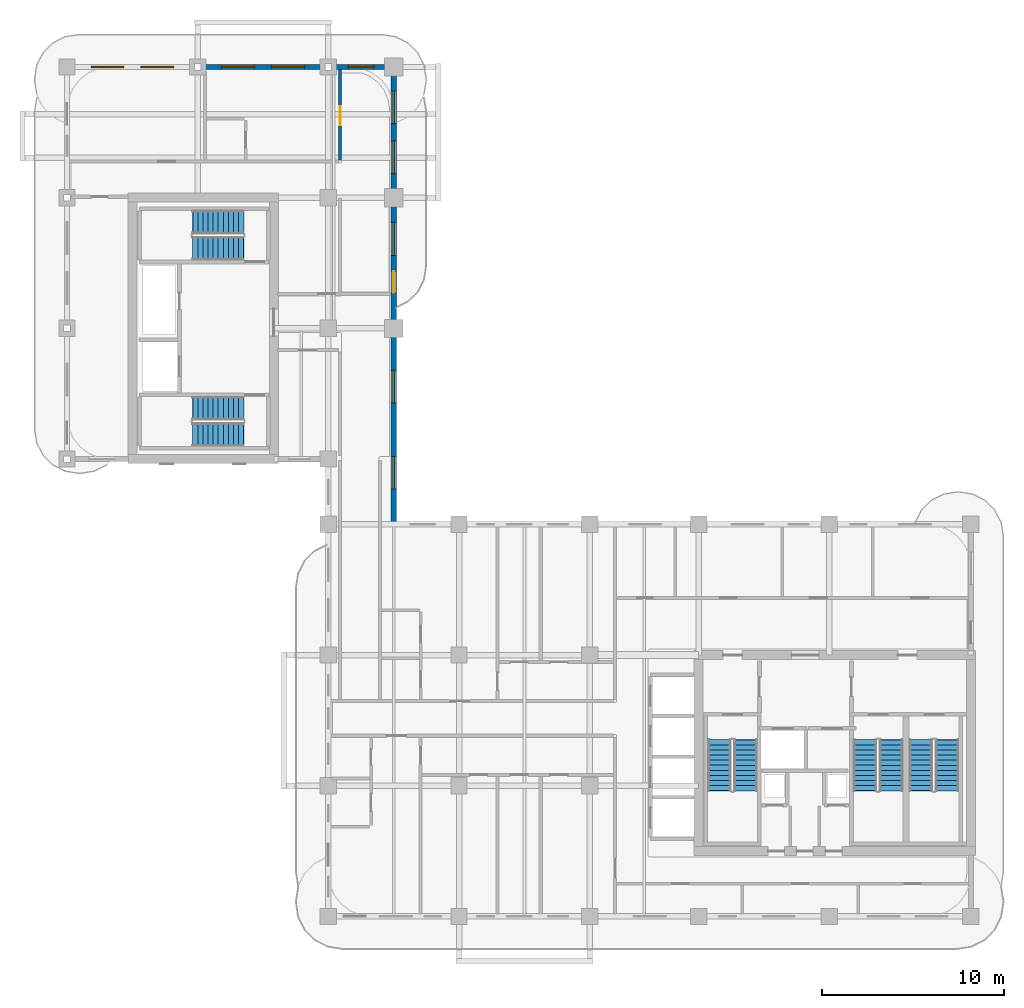
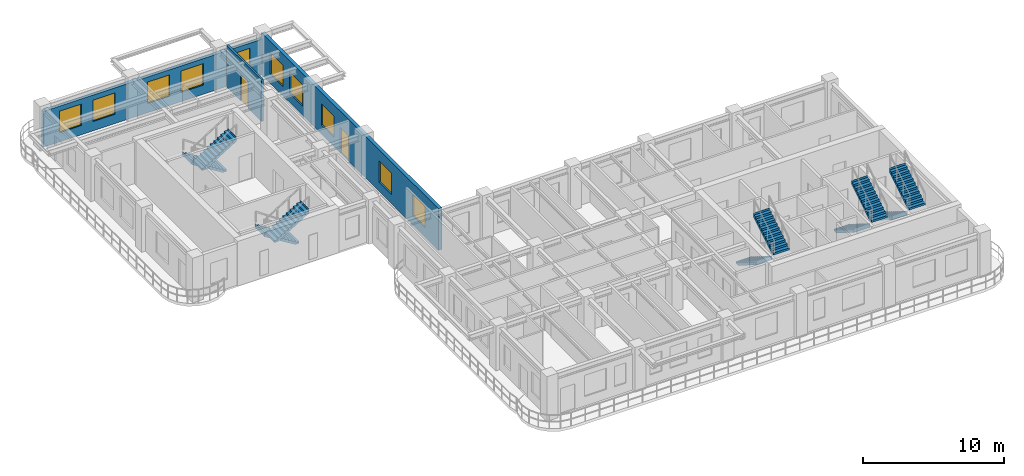
# One storey, part 9 of 14: 10 stair flights, 10 windows, 3 walls, 2 doors, 12 openings, 5 elements without a shape of their own.
"""IFC4 building model written with IfcOpenShell, lengths in metres."""

from ifc_helpers import new_model, si_unit, derived_unit, direction, frame, frame_2d, origin, place, context, subcontext, project, spatial, polyline, rectangle, outline, extrude, source, transform, mapped, material, layer, layer_set, type_object, type_shapes, element, fill, aggregate, save


model = new_model("IFC4")

# Units and contexts
model_context = context("Model", 3, precision=1e-05, world=origin(), true_north=direction((0.0, 1.0)))
body_context = subcontext(model_context, "Body", "Model", "MODEL_VIEW")
ifc_project = project(units=[si_unit("LENGTHUNIT", "METRE"), si_unit("AREAUNIT", "SQUARE_METRE"), si_unit("VOLUMEUNIT", "CUBIC_METRE"), si_unit("PLANEANGLEUNIT", "RADIAN"), si_unit("MASSUNIT", "GRAM", prefix="KILO"), si_unit("THERMODYNAMICTEMPERATUREUNIT", "KELVIN"), si_unit("POWERUNIT", "WATT"), derived_unit("THERMALTRANSMITTANCEUNIT", [(si_unit("POWERUNIT", "WATT"), 1), (si_unit("AREAUNIT", "SQUARE_METRE"), -1), (si_unit("THERMODYNAMICTEMPERATUREUNIT", "KELVIN"), -1)])], contexts=[model_context])

# Site, building, storey
site_placement = place(None, origin())
site = spatial("IfcSite", under=ifc_project, at=site_placement, CompositionType="ELEMENT")
building_placement = place(site_placement, origin())
building = spatial("IfcBuilding", under=site, at=building_placement, Name="Zahravan Archway Hotel and Residences", CompositionType="ELEMENT")
storey_placement = place(building_placement, frame((0.0, 0.0, 205.75)))
storey = spatial("IfcBuildingStorey", under=building, at=storey_placement, Name="L51", CompositionType="ELEMENT", Elevation=205.75)

# Wall, openings, windows
ifc_material_1 = material(Name="Honed Red-Ochre Sandstone & Insulated Block", Category="masonry")
ifc_layer_1 = layer(ifc_material_1, 0.280029296875, Name="Honed Red-Ochre Sandstone & Insulated Block", Category="masonry")
ifc_layer_set_1 = layer_set([ifc_layer_1], Name="Honed Red-Ochre Sandstone & Insulated Block")
wall_type_1 = type_object("IfcWallType", Name="EW-LOG-280", PredefinedType="SOLIDWALL", material=ifc_layer_set_1)
wall_1_placement = place(storey_placement, frame((0.0, 46.800048828125, 0.0), z_axis=(0.0, 0.0, 1.0), x_axis=(1.0, 0.0, 0.0)))
wall_1 = element("IfcWall", 1, at=wall_1_placement, inside=storey, type_object=wall_type_1, Name="L51 Exterior Sandstone Wall WB-N", PredefinedType="SOLIDWALL", context=body_context, shape_type="SweptSolid", body=[
    extrude(rectangle(XDim=18.0, YDim=0.280029296875, at=frame_2d((9.0, 0.0))), origin(), (0.0, 0.0, 1.0), 3.0849609375),
])
opening_1_placement = place(wall_1_placement, frame((1.324951171875, 0.0, 0.800048828125)))
opening_1 = element("IfcOpeningElement", 2, at=opening_1_placement, cuts=wall_1, Name="Opening W-02", PredefinedType="OPENING", context=body_context, shape_type="SweptSolid", body=[
    extrude(rectangle(XDim=1.800048828125, YDim=1.85009765625, at=frame_2d((0.89990234375, 0.925048828125))), frame((0.0, 0.14990234375, 0.0), z_axis=(0.0, -1.0, 0.0), x_axis=(1.0, 0.0, 0.0)), (0.0, 0.0, 1.0), 0.300048828125),
])
opening_2_placement = place(wall_1_placement, frame((4.074951171875, 0.0, 0.800048828125)))
opening_2 = element("IfcOpeningElement", 3, at=opening_2_placement, cuts=wall_1, Name="Opening W-02", PredefinedType="OPENING", context=body_context, shape_type="SweptSolid", body=[
    extrude(rectangle(XDim=1.800048828125, YDim=1.85009765625, at=frame_2d((0.89990234375, 0.925048828125))), frame((0.0, 0.14990234375, 0.0), z_axis=(0.0, -1.0, 0.0), x_axis=(1.0, 0.0, 0.0)), (0.0, 0.0, 1.0), 0.300048828125),
])
opening_3_placement = place(wall_1_placement, frame((8.52490234375, 0.0, 0.800048828125)))
opening_3 = element("IfcOpeningElement", 4, at=opening_3_placement, cuts=wall_1, Name="Opening W-02", PredefinedType="OPENING", context=body_context, shape_type="SweptSolid", body=[
    extrude(rectangle(XDim=1.800048828125, YDim=1.85009765625, at=frame_2d((0.89990234375, 0.925048828125))), frame((0.0, 0.14990234375, 0.0), z_axis=(0.0, -1.0, 0.0), x_axis=(1.0, 0.0, 0.0)), (0.0, 0.0, 1.0), 0.300048828125),
])
opening_4_placement = place(wall_1_placement, frame((11.27490234375, 0.0, 0.800048828125)))
opening_4 = element("IfcOpeningElement", 5, at=opening_4_placement, cuts=wall_1, Name="Opening W-02", PredefinedType="OPENING", context=body_context, shape_type="SweptSolid", body=[
    extrude(rectangle(XDim=1.800048828125, YDim=1.85009765625, at=frame_2d((0.89990234375, 0.925048828125))), frame((0.0, 0.14990234375, 0.0), z_axis=(0.0, -1.0, 0.0), x_axis=(1.0, 0.0, 0.0)), (0.0, 0.0, 1.0), 0.300048828125),
])
opening_5_placement = place(wall_1_placement, frame((15.5, 0.0, 0.800048828125)))
opening_5 = element("IfcOpeningElement", 6, at=opening_5_placement, cuts=wall_1, Name="Opening W-03", PredefinedType="OPENING", context=body_context, shape_type="SweptSolid", body=[
    extrude(rectangle(XDim=1.39990234375, YDim=1.85009765625, at=frame_2d((0.699951171875, 0.925048828125))), frame((0.0, 0.14990234375, 0.0), z_axis=(0.0, -1.0, 0.0), x_axis=(1.0, 0.0, 0.0)), (0.0, 0.0, 1.0), 0.300048828125),
])
ifc_material_2 = material(Name="Bronze-Anodized Thermal-Break Aluminium & Low-E Glass", Category="aluminium")
window_type_1 = type_object("IfcWindowType", Name="WIN-TWR-1400", PartitioningType="SINGLE_PANEL", PredefinedType="WINDOW", material=ifc_material_2)
shared_shape_1 = source(origin(), body_context, "Body", "SweptSolid", [
    extrude(rectangle(XDim=1.39990234375, YDim=1.85009765625, at=frame_2d((0.699951171875, 0.925048828125))), frame((0.0, 0.030029296875, 0.0), z_axis=(0.0, -1.0, 0.0), x_axis=(1.0, 0.0, 0.0)), (0.0, 0.0, 1.0), 0.06005859375),
])
type_shapes(window_type_1, [shared_shape_1])
window_1_placement = place(opening_5_placement, origin())
window_1 = element("IfcWindow", 7, at=window_1_placement, inside=storey, type_object=window_type_1, Name="L51 Loggia Window 39", OverallHeight=1.85009765625, OverallWidth=1.39990234375, PartitioningType="SINGLE_PANEL", PredefinedType="WINDOW", context=body_context, shape_type="MappedRepresentation", body=[
    mapped(shared_shape_1, transform((0.0, 0.0, 0.0), scale=1.0)),
])
fill(opening_5, window_1)
window_type_2 = type_object("IfcWindowType", Name="WIN-TWR-1800", PartitioningType="DOUBLE_PANEL_VERTICAL", PredefinedType="WINDOW", material=ifc_material_2)
shared_shape_2 = source(origin(), body_context, "Body", "SweptSolid", [
    extrude(rectangle(XDim=1.800048828125, YDim=1.85009765625, at=frame_2d((0.89990234375, 0.925048828125))), frame((0.0, 0.030029296875, 0.0), z_axis=(0.0, -1.0, 0.0), x_axis=(1.0, 0.0, 0.0)), (0.0, 0.0, 1.0), 0.06005859375),
])
type_shapes(window_type_2, [shared_shape_2])
window_2_placement = place(opening_1_placement, origin())
window_2 = element("IfcWindow", 8, at=window_2_placement, inside=storey, type_object=window_type_2, Name="L51 Loggia Window 35", OverallHeight=1.85009765625, OverallWidth=1.800048828125, PartitioningType="DOUBLE_PANEL_VERTICAL", PredefinedType="WINDOW", context=body_context, shape_type="MappedRepresentation", body=[
    mapped(shared_shape_2, transform((0.0, 0.0, 0.0), scale=1.0)),
])
fill(opening_1, window_2)
window_3_placement = place(opening_2_placement, origin())
window_3 = element("IfcWindow", 9, at=window_3_placement, inside=storey, type_object=window_type_2, Name="L51 Loggia Window 36", OverallHeight=1.85009765625, OverallWidth=1.800048828125, PartitioningType="DOUBLE_PANEL_VERTICAL", PredefinedType="WINDOW", context=body_context, shape_type="MappedRepresentation", body=[
    mapped(shared_shape_2, transform((0.0, 0.0, 0.0), scale=1.0)),
])
fill(opening_2, window_3)
window_4_placement = place(opening_3_placement, origin())
window_4 = element("IfcWindow", 10, at=window_4_placement, inside=storey, type_object=window_type_2, Name="L51 Loggia Window 37", OverallHeight=1.85009765625, OverallWidth=1.800048828125, PartitioningType="DOUBLE_PANEL_VERTICAL", PredefinedType="WINDOW", context=body_context, shape_type="MappedRepresentation", body=[
    mapped(shared_shape_2, transform((0.0, 0.0, 0.0), scale=1.0)),
])
fill(opening_3, window_4)
window_5_placement = place(opening_4_placement, origin())
window_5 = element("IfcWindow", 11, at=window_5_placement, inside=storey, type_object=window_type_2, Name="L51 Loggia Window 38", OverallHeight=1.85009765625, OverallWidth=1.800048828125, PartitioningType="DOUBLE_PANEL_VERTICAL", PredefinedType="WINDOW", context=body_context, shape_type="MappedRepresentation", body=[
    mapped(shared_shape_2, transform((0.0, 0.0, 0.0), scale=1.0)),
])
fill(opening_4, window_5)

# Wall, openings, door, windows
wall_2_placement = place(storey_placement, frame((18.0, 21.64990234375, 0.0), z_axis=(0.0, 0.0, 1.0), x_axis=(0.0, 1.0, 0.0)))
wall_2 = element("IfcWall", 12, at=wall_2_placement, inside=storey, type_object=wall_type_1, Name="L51 Exterior Sandstone Wall WB-EU", PredefinedType="SOLIDWALL", context=body_context, shape_type="SweptSolid", body=[
    extrude(rectangle(XDim=25.10009765625, YDim=0.280029296875, at=frame_2d((12.550048828125, 0.0))), origin(), (0.0, 0.0, 1.0), 3.60009765625),
])
opening_6_placement = place(wall_2_placement, frame((12.7060546875, 0.0, 0.0)))
opening_6 = element("IfcOpeningElement", 13, at=opening_6_placement, cuts=wall_2, Name="Opening ED-BL1", PredefinedType="OPENING", context=body_context, shape_type="SweptSolid", body=[
    extrude(rectangle(XDim=1.199951171875, YDim=2.199951171875, at=frame_2d((0.60009765625, 1.10009765625))), frame((0.0, 0.14990234375, 0.0), z_axis=(0.0, -1.0, 0.0), x_axis=(1.0, 0.0, 0.0)), (0.0, 0.0, 1.0), 0.300048828125),
])
opening_7_placement = place(wall_2_placement, frame((1.889892578125, 0.0, 0.800048828125)))
opening_7 = element("IfcOpeningElement", 14, at=opening_7_placement, cuts=wall_2, Name="Opening W-02", PredefinedType="OPENING", context=body_context, shape_type="SweptSolid", body=[
    extrude(rectangle(XDim=1.800048828125, YDim=1.85009765625, at=frame_2d((0.89990234375, 0.925048828125))), frame((0.0, 0.14990234375, 0.0), z_axis=(0.0, -1.0, 0.0), x_axis=(1.0, 0.0, 0.0)), (0.0, 0.0, 1.0), 0.300048828125),
])
opening_8_placement = place(wall_2_placement, frame((6.6298828125, 0.0, 0.800048828125)))
opening_8 = element("IfcOpeningElement", 15, at=opening_8_placement, cuts=wall_2, Name="Opening W-02", PredefinedType="OPENING", context=body_context, shape_type="SweptSolid", body=[
    extrude(rectangle(XDim=1.800048828125, YDim=1.85009765625, at=frame_2d((0.89990234375, 0.925048828125))), frame((0.0, 0.14990234375, 0.0), z_axis=(0.0, -1.0, 0.0), x_axis=(1.0, 0.0, 0.0)), (0.0, 0.0, 1.0), 0.300048828125),
])
opening_9_placement = place(wall_2_placement, frame((14.778076171875, 0.0, 0.800048828125)))
opening_9 = element("IfcOpeningElement", 16, at=opening_9_placement, cuts=wall_2, Name="Opening W-02", PredefinedType="OPENING", context=body_context, shape_type="SweptSolid", body=[
    extrude(rectangle(XDim=1.800048828125, YDim=1.85009765625, at=frame_2d((0.89990234375, 0.925048828125))), frame((0.0, 0.14990234375, 0.0), z_axis=(0.0, -1.0, 0.0), x_axis=(1.0, 0.0, 0.0)), (0.0, 0.0, 1.0), 0.300048828125),
])
opening_10_placement = place(wall_2_placement, frame((19.27490234375, 0.0, 0.800048828125)))
opening_10 = element("IfcOpeningElement", 17, at=opening_10_placement, cuts=wall_2, Name="Opening W-02", PredefinedType="OPENING", context=body_context, shape_type="SweptSolid", body=[
    extrude(rectangle(XDim=1.800048828125, YDim=1.85009765625, at=frame_2d((0.89990234375, 0.925048828125))), frame((0.0, 0.14990234375, 0.0), z_axis=(0.0, -1.0, 0.0), x_axis=(1.0, 0.0, 0.0)), (0.0, 0.0, 1.0), 0.300048828125),
])
opening_11_placement = place(wall_2_placement, frame((22.02490234375, 0.0, 0.800048828125)))
opening_11 = element("IfcOpeningElement", 18, at=opening_11_placement, cuts=wall_2, Name="Opening W-02", PredefinedType="OPENING", context=body_context, shape_type="SweptSolid", body=[
    extrude(rectangle(XDim=1.800048828125, YDim=1.85009765625, at=frame_2d((0.89990234375, 0.925048828125))), frame((0.0, 0.14990234375, 0.0), z_axis=(0.0, -1.0, 0.0), x_axis=(1.0, 0.0, 0.0)), (0.0, 0.0, 1.0), 0.300048828125),
])
ifc_material_3 = material(Name="Bronze-Anodized Glazed Aluminium", Category="aluminium")
door_type_1 = type_object("IfcDoorType", Name="ED-BALC-1200", OperationType="SLIDING_TO_LEFT", PredefinedType="DOOR", material=ifc_material_3)
shared_shape_3 = source(origin(), body_context, "Body", "SweptSolid", [
    extrude(rectangle(XDim=1.199951171875, YDim=2.199951171875, at=frame_2d((0.60009765625, 1.10009765625))), frame((0.0, 0.02490234375, 0.0), z_axis=(0.0, -1.0, 0.0), x_axis=(1.0, 0.0, 0.0)), (0.0, 0.0, 1.0), 0.050048828125),
])
type_shapes(door_type_1, [shared_shape_3])
door_1_placement = place(opening_6_placement, origin())
door_1 = element("IfcDoor", 19, at=door_1_placement, inside=storey, type_object=door_type_1, Name="L51 Outdoor Access Sliding Door (SLB-BAL-L51-EB)", OperationType="SLIDING_TO_LEFT", OverallHeight=2.199951171875, OverallWidth=1.199951171875, PredefinedType="DOOR", context=body_context, shape_type="MappedRepresentation", body=[
    mapped(shared_shape_3, transform((0.0, 0.0, 0.0), scale=1.0)),
])
fill(opening_6, door_1)
window_6_placement = place(opening_7_placement, origin())
window_6 = element("IfcWindow", 20, at=window_6_placement, inside=storey, type_object=window_type_2, Name="L51 Loggia Window 40", OverallHeight=1.85009765625, OverallWidth=1.800048828125, PartitioningType="DOUBLE_PANEL_VERTICAL", PredefinedType="WINDOW", context=body_context, shape_type="MappedRepresentation", body=[
    mapped(shared_shape_2, transform((0.0, 0.0, 0.0), scale=1.0)),
])
fill(opening_7, window_6)
window_7_placement = place(opening_8_placement, origin())
window_7 = element("IfcWindow", 21, at=window_7_placement, inside=storey, type_object=window_type_2, Name="L51 Loggia Window 41", OverallHeight=1.85009765625, OverallWidth=1.800048828125, PartitioningType="DOUBLE_PANEL_VERTICAL", PredefinedType="WINDOW", context=body_context, shape_type="MappedRepresentation", body=[
    mapped(shared_shape_2, transform((0.0, 0.0, 0.0), scale=1.0)),
])
fill(opening_8, window_7)
window_8_placement = place(opening_9_placement, origin())
window_8 = element("IfcWindow", 22, at=window_8_placement, inside=storey, type_object=window_type_2, Name="L51 Loggia Window 42", OverallHeight=1.85009765625, OverallWidth=1.800048828125, PartitioningType="DOUBLE_PANEL_VERTICAL", PredefinedType="WINDOW", context=body_context, shape_type="MappedRepresentation", body=[
    mapped(shared_shape_2, transform((0.0, 0.0, 0.0), scale=1.0)),
])
fill(opening_9, window_8)
window_9_placement = place(opening_10_placement, origin())
window_9 = element("IfcWindow", 23, at=window_9_placement, inside=storey, type_object=window_type_2, Name="L51 Loggia Window 43", OverallHeight=1.85009765625, OverallWidth=1.800048828125, PartitioningType="DOUBLE_PANEL_VERTICAL", PredefinedType="WINDOW", context=body_context, shape_type="MappedRepresentation", body=[
    mapped(shared_shape_2, transform((0.0, 0.0, 0.0), scale=1.0)),
])
fill(opening_10, window_9)
window_10_placement = place(opening_11_placement, origin())
window_10 = element("IfcWindow", 24, at=window_10_placement, inside=storey, type_object=window_type_2, Name="L51 Loggia Window 44", OverallHeight=1.85009765625, OverallWidth=1.800048828125, PartitioningType="DOUBLE_PANEL_VERTICAL", PredefinedType="WINDOW", context=body_context, shape_type="MappedRepresentation", body=[
    mapped(shared_shape_2, transform((0.0, 0.0, 0.0), scale=1.0)),
])
fill(opening_11, window_10)

# Wall, opening, door
ifc_material_4 = material(Name="Fire-Rated Gypsum & Concrete Block", Category="concrete")
ifc_layer_2 = layer(ifc_material_4, 0.159912109375, Name="Fire-Rated Gypsum & Concrete Block", Category="concrete")
ifc_layer_set_2 = layer_set([ifc_layer_2], Name="Fire-Rated Gypsum & Concrete Block")
wall_type_2 = type_object("IfcWallType", Name="PW-CORR-160", PredefinedType="PARTITIONING", material=ifc_layer_set_2)
wall_3_placement = place(storey_placement, frame((15.050048828125, 41.68994140625, 0.0), z_axis=(0.0, 0.0, 1.0), x_axis=(0.0, 1.0, 0.0)))
wall_3 = element("IfcWall", 25, at=wall_3_placement, inside=storey, type_object=wall_type_2, Name="L51 Partition WBN-CU", PredefinedType="PARTITIONING", context=body_context, shape_type="SweptSolid", body=[
    extrude(rectangle(XDim=4.962158203125, YDim=0.159912109375, at=frame_2d((2.48095703125, 0.0))), origin(), (0.0, 0.0, 1.0), 3.60009765625),
])
opening_12_placement = place(wall_3_placement, frame((1.909912109375, 0.0, 0.0)))
opening_12 = element("IfcOpeningElement", 26, at=opening_12_placement, cuts=wall_3, Name="Opening D-U1", PredefinedType="OPENING", context=body_context, shape_type="SweptSolid", body=[
    extrude(rectangle(XDim=1.050048828125, YDim=2.25, at=frame_2d((0.52490234375, 1.125))), frame((0.0, 0.08984375, 0.0), z_axis=(0.0, -1.0, 0.0), x_axis=(1.0, 0.0, 0.0)), (0.0, 0.0, 1.0), 0.179931640625),
])
ifc_material_5 = material(Name="Hardwood Veneer Timber", Category="wood")
door_type_2 = type_object("IfcDoorType", Name="ID-UNIT-1050", OperationType="NOTDEFINED", PredefinedType="DOOR", material=ifc_material_5)
shared_shape_4 = source(origin(), body_context, "Body", "SweptSolid", [
    extrude(rectangle(XDim=1.050048828125, YDim=2.25, at=frame_2d((0.52490234375, 1.125))), frame((0.0, 0.02490234375, 0.0), z_axis=(0.0, -1.0, 0.0), x_axis=(1.0, 0.0, 0.0)), (0.0, 0.0, 1.0), 0.050048828125),
])
type_shapes(door_type_2, [shared_shape_4])
door_2_placement = place(opening_12_placement, origin())
door_2 = element("IfcDoor", 27, at=door_2_placement, inside=storey, type_object=door_type_2, Name="L51 Hotel Guestroom 78 Entrance Door", OperationType="SINGLE_SWING_RIGHT", OverallHeight=2.25, OverallWidth=1.050048828125, PredefinedType="DOOR", context=body_context, shape_type="MappedRepresentation", body=[
    mapped(shared_shape_4, transform((0.0, 0.0, 0.0), scale=1.0)),
])
fill(opening_12, door_2)

# Stair, stair flights
ifc_material_6 = material(Name="Concrete C50/60", Category="concrete")
stair_type = type_object("IfcStairType", Name="STR-CORE-1300", PredefinedType="HALF_TURN_STAIR", material=ifc_material_6)
stair_1_placement = place(storey_placement, origin())
stair_1 = element("IfcStair", 28, at=stair_1_placement, inside=storey, type_object=stair_type, Name="L51 Core A Exit Stair 1", PredefinedType="HALF_TURN_STAIR")
ifc_layer_3 = layer(ifc_material_6, 0.199951171875, Name="Concrete C50/60", Category="concrete")
ifc_layer_set_3 = layer_set([ifc_layer_3], Name="Concrete C50/60")
stair_flight_type = type_object("IfcStairFlightType", Name="SFL-CORE-1300", PredefinedType="STRAIGHT", material=ifc_layer_set_3)
shared_shape_5 = source(origin(), body_context, "Body", "SweptSolid", [
    extrude(outline(polyline([(-0.01611328125, 0.0), (-0.01611328125, 0.175048828125), (0.280029296875, 0.175048828125), (0.280029296875, 0.35009765625), (0.56005859375, 0.35009765625), (0.56005859375, 0.52490234375), (0.840087890625, 0.52490234375), (0.840087890625, 0.699951171875), (1.1201171875, 0.699951171875), (1.1201171875, 0.875), (1.39990234375, 0.875), (1.39990234375, 1.050048828125), (1.679931640625, 1.050048828125), (1.679931640625, 1.22509765625), (1.9599609375, 1.22509765625), (1.9599609375, 1.39990234375), (2.239990234375, 1.39990234375), (2.239990234375, 1.574951171875), (2.52001953125, 1.574951171875), (2.52001953125, 1.75), (2.800048828125, 1.75), (2.800048828125, 1.925048828125), (2.816162109375, 1.925048828125), (2.816162109375, 1.5732421875), (0.28271484375, 0.0), (-0.01611328125, 0.0)])), frame((0.0, 0.64990234375, 0.0), z_axis=(0.0, -1.0, 0.0), x_axis=(1.0, 0.0, 0.0)), (0.0, 0.0, 1.0), 1.300048828125),
])
stair_flight_1_placement = place(storey_placement, frame((35.949951171875, 9.72998046875, 0.0), z_axis=(0.0, 0.0, 1.0), x_axis=(0.0, -1.0, 0.0)))
stair_flight_1 = element("IfcStairFlight", 29, at=stair_flight_1_placement, type_object=stair_flight_type, Name="ST-A1 flight 1", NumberOfRisers=11, NumberOfTreads=10, PredefinedType="STRAIGHT", RiserHeight=0.175, TreadLength=0.28, context=body_context, shape_type="MappedRepresentation", body=[
    mapped(shared_shape_5, transform((0.0, 0.0, 0.0), scale=1.0)),
])
stair_flight_2_placement = place(storey_placement, frame((37.389892578125, 6.929931640625, 1.925048828125), z_axis=(0.0, 0.0, 1.0), x_axis=(0.0, 1.0, 0.0)))
stair_flight_2 = element("IfcStairFlight", 30, at=stair_flight_2_placement, type_object=stair_flight_type, Name="ST-A1 flight 2", NumberOfRisers=11, NumberOfTreads=10, PredefinedType="STRAIGHT", RiserHeight=0.175, TreadLength=0.28, context=body_context, shape_type="MappedRepresentation", body=[
    mapped(shared_shape_5, transform((0.0, 0.0, 0.0), scale=1.0)),
])
aggregate(stair_1, [stair_flight_1, stair_flight_2])

stair_2_placement = place(storey_placement, origin())
stair_2 = element("IfcStair", 31, at=stair_2_placement, inside=storey, type_object=stair_type, Name="L51 Core A Exit Stair 2", PredefinedType="HALF_TURN_STAIR")
stair_flight_3_placement = place(storey_placement, frame((43.969970703125, 9.72998046875, 0.0), z_axis=(0.0, 0.0, 1.0), x_axis=(0.0, -1.0, 0.0)))
stair_flight_3 = element("IfcStairFlight", 32, at=stair_flight_3_placement, type_object=stair_flight_type, Name="ST-A2 flight 1", NumberOfRisers=11, NumberOfTreads=10, PredefinedType="STRAIGHT", RiserHeight=0.175, TreadLength=0.28, context=body_context, shape_type="MappedRepresentation", body=[
    mapped(shared_shape_5, transform((0.0, 0.0, 0.0), scale=1.0)),
])
stair_flight_4_placement = place(storey_placement, frame((45.409912109375, 6.929931640625, 1.925048828125), z_axis=(0.0, 0.0, 1.0), x_axis=(0.0, 1.0, 0.0)))
stair_flight_4 = element("IfcStairFlight", 33, at=stair_flight_4_placement, type_object=stair_flight_type, Name="ST-A2 flight 2", NumberOfRisers=11, NumberOfTreads=10, PredefinedType="STRAIGHT", RiserHeight=0.175, TreadLength=0.28, context=body_context, shape_type="MappedRepresentation", body=[
    mapped(shared_shape_5, transform((0.0, 0.0, 0.0), scale=1.0)),
])
aggregate(stair_2, [stair_flight_3, stair_flight_4])

stair_3_placement = place(storey_placement, origin())
stair_3 = element("IfcStair", 34, at=stair_3_placement, inside=storey, type_object=stair_type, Name="L51 Core A Exit Stair 3", PredefinedType="HALF_TURN_STAIR")
stair_flight_5_placement = place(storey_placement, frame((47.050048828125, 9.72998046875, 0.0), z_axis=(0.0, 0.0, 1.0), x_axis=(0.0, -1.0, 0.0)))
stair_flight_5 = element("IfcStairFlight", 35, at=stair_flight_5_placement, type_object=stair_flight_type, Name="ST-A3 flight 1", NumberOfRisers=11, NumberOfTreads=10, PredefinedType="STRAIGHT", RiserHeight=0.175, TreadLength=0.28, context=body_context, shape_type="MappedRepresentation", body=[
    mapped(shared_shape_5, transform((0.0, 0.0, 0.0), scale=1.0)),
])
stair_flight_6_placement = place(storey_placement, frame((48.489990234375, 6.929931640625, 1.925048828125), z_axis=(0.0, 0.0, 1.0), x_axis=(0.0, 1.0, 0.0)))
stair_flight_6 = element("IfcStairFlight", 36, at=stair_flight_6_placement, type_object=stair_flight_type, Name="ST-A3 flight 2", NumberOfRisers=11, NumberOfTreads=10, PredefinedType="STRAIGHT", RiserHeight=0.175, TreadLength=0.28, context=body_context, shape_type="MappedRepresentation", body=[
    mapped(shared_shape_5, transform((0.0, 0.0, 0.0), scale=1.0)),
])
aggregate(stair_3, [stair_flight_5, stair_flight_6])

stair_4_placement = place(storey_placement, origin())
stair_4 = element("IfcStair", 37, at=stair_4_placement, inside=storey, type_object=stair_type, Name="L51 Core B Exit Stair 1", PredefinedType="HALF_TURN_STAIR")
stair_flight_7_placement = place(storey_placement, frame((9.72998046875, 27.989990234375, 0.0), z_axis=(0.0, 0.0, 1.0), x_axis=(-1.0, 0.0, 0.0)))
stair_flight_7 = element("IfcStairFlight", 38, at=stair_flight_7_placement, type_object=stair_flight_type, Name="ST-B1 flight 1", NumberOfRisers=11, NumberOfTreads=10, PredefinedType="STRAIGHT", RiserHeight=0.175, TreadLength=0.28, context=body_context, shape_type="MappedRepresentation", body=[
    mapped(shared_shape_5, transform((0.0, 0.0, 0.0), scale=1.0)),
])
stair_flight_8_placement = place(storey_placement, frame((6.929931640625, 26.550048828125, 1.925048828125), z_axis=(0.0, 0.0, 1.0), x_axis=(1.0, 0.0, 0.0)))
stair_flight_8 = element("IfcStairFlight", 39, at=stair_flight_8_placement, type_object=stair_flight_type, Name="ST-B1 flight 2", NumberOfRisers=11, NumberOfTreads=10, PredefinedType="STRAIGHT", RiserHeight=0.175, TreadLength=0.28, context=body_context, shape_type="MappedRepresentation", body=[
    mapped(shared_shape_5, transform((0.0, 0.0, 0.0), scale=1.0)),
])
aggregate(stair_4, [stair_flight_7, stair_flight_8])

stair_5_placement = place(storey_placement, origin())
stair_5 = element("IfcStair", 40, at=stair_5_placement, inside=storey, type_object=stair_type, Name="L51 Core B Exit Stair 2", PredefinedType="HALF_TURN_STAIR")
stair_flight_9_placement = place(storey_placement, frame((9.72998046875, 38.25, 0.0), z_axis=(0.0, 0.0, 1.0), x_axis=(-1.0, 0.0, 0.0)))
stair_flight_9 = element("IfcStairFlight", 41, at=stair_flight_9_placement, type_object=stair_flight_type, Name="ST-B2 flight 1", NumberOfRisers=11, NumberOfTreads=10, PredefinedType="STRAIGHT", RiserHeight=0.175, TreadLength=0.28, context=body_context, shape_type="MappedRepresentation", body=[
    mapped(shared_shape_5, transform((0.0, 0.0, 0.0), scale=1.0)),
])
stair_flight_10_placement = place(storey_placement, frame((6.929931640625, 36.81005859375, 1.925048828125), z_axis=(0.0, 0.0, 1.0), x_axis=(1.0, 0.0, 0.0)))
stair_flight_10 = element("IfcStairFlight", 42, at=stair_flight_10_placement, type_object=stair_flight_type, Name="ST-B2 flight 2", NumberOfRisers=11, NumberOfTreads=10, PredefinedType="STRAIGHT", RiserHeight=0.175, TreadLength=0.28, context=body_context, shape_type="MappedRepresentation", body=[
    mapped(shared_shape_5, transform((0.0, 0.0, 0.0), scale=1.0)),
])
aggregate(stair_5, [stair_flight_9, stair_flight_10])

save(model, "model.ifc")
